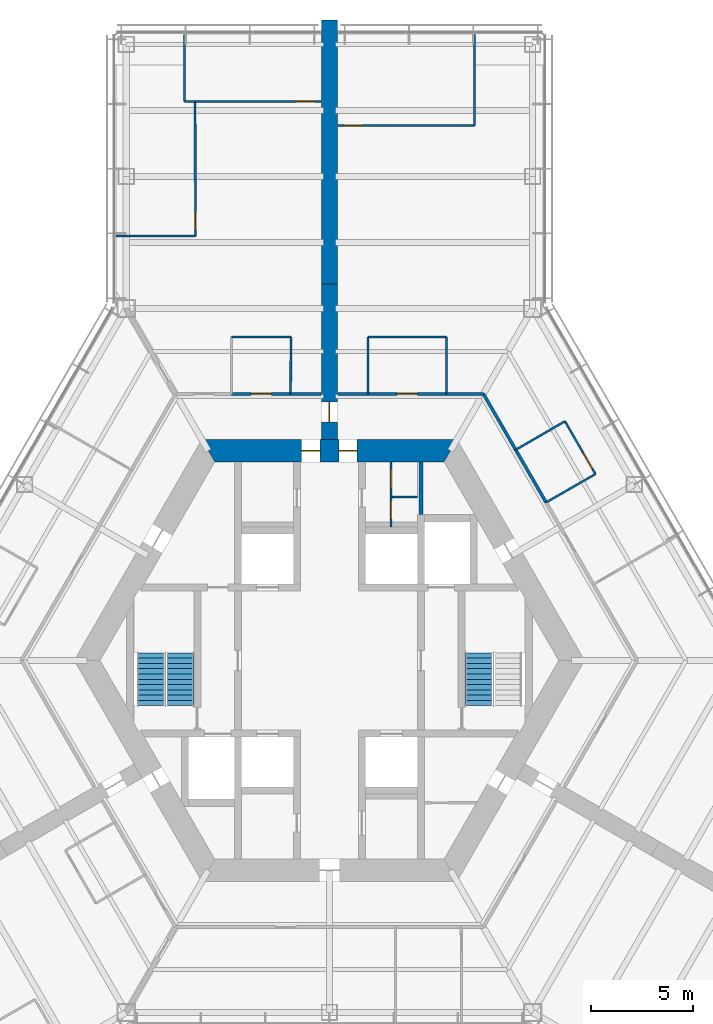
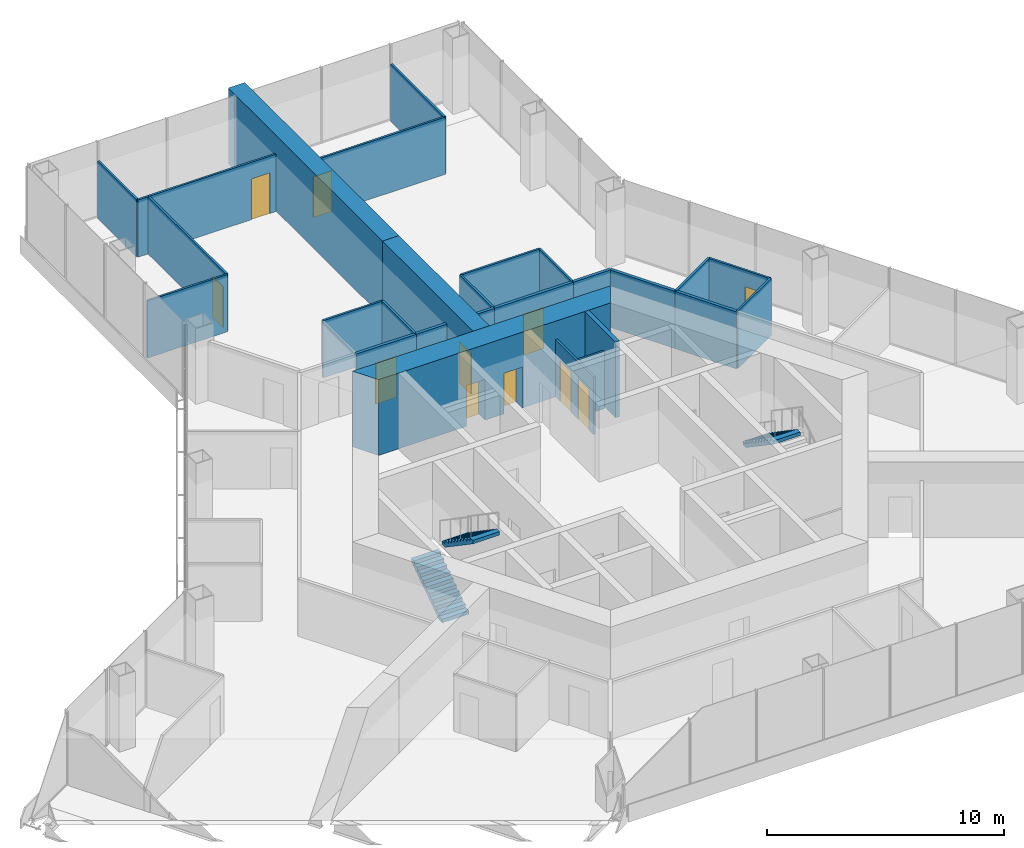
# One storey, part 15 of 18: 28 walls, 11 doors, 3 stair flights, 11 openings, 2 elements without a shape of their own.
"""IFC4 building model written with IfcOpenShell, lengths in metres."""

from ifc_helpers import new_model, si_unit, direction, frame, frame_2d, origin, place, context, subcontext, project, spatial, polyline, rectangle, outline, extrude, material, layer, layer_set, type_object, element, fill, aggregate, save


model = new_model("IFC4")

# Units and contexts
model_context = context("Model", 3, precision=1e-05, world=origin(), true_north=direction((0.0, 1.0)))
body_context = subcontext(model_context, "Body", "Model", "MODEL_VIEW")
ifc_project = project(units=[si_unit("LENGTHUNIT", "METRE"), si_unit("AREAUNIT", "SQUARE_METRE"), si_unit("VOLUMEUNIT", "CUBIC_METRE"), si_unit("PLANEANGLEUNIT", "RADIAN"), si_unit("MASSUNIT", "GRAM", prefix="KILO")], contexts=[model_context])

# Site, building, storey
site_placement = place(None, origin())
site = spatial("IfcSite", under=ifc_project, at=site_placement, CompositionType="ELEMENT")
building_placement = place(site_placement, origin())
building = spatial("IfcBuilding", under=site, at=building_placement, Name="Kasaneha Research Tower", CompositionType="ELEMENT")
storey_placement = place(building_placement, frame((0.0, 0.0, 108.0)))
storey = spatial("IfcBuildingStorey", under=building, at=storey_placement, Name="L27", CompositionType="ELEMENT", Elevation=108.0)

# Wall, openings, doors
ifc_material_1 = material(Name="Concrete Fc80", Category="concrete")
ifc_layer_1 = layer(ifc_material_1, 1.10009765625)
ifc_layer_set_1 = layer_set([ifc_layer_1], Name="Core wall 1100 Fc80")
wall_type_1 = type_object("IfcWallType", Name="Core wall 1100 Fc80", PredefinedType="SHEAR", material=ifc_layer_set_1)
wall_1_placement = place(storey_placement, frame((5.961181640625, 10.324951171875, 0.0), z_axis=(0.0, 0.0, 1.0), x_axis=(-1.0, 0.0, 0.0)))
wall_1 = element("IfcWall", 1, at=wall_1_placement, inside=storey, type_object=wall_type_1, Name="Core wall 090 L27", PredefinedType="SHEAR", context=body_context, shape_type="SweptSolid", body=[
    extrude(outline(polyline([(-0.317626953125, -0.550048828125), (4.5986328125, -0.550048828125), (5.49853515625, -0.550048828125), (6.423583984375, -0.550048828125), (7.323486328125, -0.550048828125), (12.239990234375, -0.550048828125), (11.604736328125, 0.550048828125), (7.323486328125, 0.550048828125), (6.423583984375, 0.550048828125), (5.49853515625, 0.550048828125), (4.5986328125, 0.550048828125), (0.317626953125, 0.550048828125), (-0.317626953125, -0.550048828125)])), origin(), (0.0, 0.0, 1.0), 3.89990234375),
])
opening_1_placement = place(wall_1_placement, frame((6.423583984375, 0.0, 0.0)))
opening_1 = element("IfcOpeningElement", 2, at=opening_1_placement, cuts=wall_1, Name="Opening L27-D01", PredefinedType="OPENING", context=body_context, shape_type="SweptSolid", body=[
    extrude(rectangle(XDim=0.89990234375, YDim=2.10009765625, at=frame_2d((0.449951171875, 1.050048828125))), frame((0.0, 0.56005859375, 0.0), z_axis=(0.0, -1.0, 0.0), x_axis=(1.0, 0.0, 0.0)), (0.0, 0.0, 1.0), 1.1201171875),
])
opening_2_placement = place(wall_1_placement, frame((4.5986328125, 0.0, 0.0)))
opening_2 = element("IfcOpeningElement", 3, at=opening_2_placement, cuts=wall_1, Name="Opening L27-D02", PredefinedType="OPENING", context=body_context, shape_type="SweptSolid", body=[
    extrude(rectangle(XDim=0.89990234375, YDim=2.10009765625, at=frame_2d((0.449951171875, 1.050048828125))), frame((0.0, 0.56005859375, 0.0), z_axis=(0.0, -1.0, 0.0), x_axis=(1.0, 0.0, 0.0)), (0.0, 0.0, 1.0), 1.1201171875),
])
ifc_material_2 = material(Name="Steel", Category="steel")
door_type_1 = type_object("IfcDoorType", Name="Toilet door FD20 900x2100", OperationType="NOTDEFINED", PredefinedType="DOOR", material=ifc_material_2)
door_1_placement = place(opening_1_placement, origin())
door_1 = element("IfcDoor", 4, at=door_1_placement, inside=storey, type_object=door_type_1, Name="Core door north 1 L27-D01", OperationType="SINGLE_SWING_RIGHT", OverallHeight=2.10009765625, OverallWidth=0.89990234375, PredefinedType="DOOR", context=body_context, shape_type="SweptSolid", body=[
    extrude(rectangle(XDim=0.89990234375, YDim=2.10009765625, at=frame_2d((0.449951171875, 1.050048828125))), frame((0.0, 0.02490234375, 0.0), z_axis=(0.0, -1.0, 0.0), x_axis=(1.0, 0.0, 0.0)), (0.0, 0.0, 1.0), 0.050048828125),
])
fill(opening_1, door_1)
door_2_placement = place(opening_2_placement, origin())
door_2 = element("IfcDoor", 5, at=door_2_placement, inside=storey, type_object=door_type_1, Name="Core door north 2 L27-D02", OperationType="SINGLE_SWING_LEFT", OverallHeight=2.10009765625, OverallWidth=0.89990234375, PredefinedType="DOOR", context=body_context, shape_type="SweptSolid", body=[
    extrude(rectangle(XDim=0.89990234375, YDim=2.10009765625, at=frame_2d((0.449951171875, 1.050048828125))), frame((0.0, 0.02490234375, 0.0), z_axis=(0.0, -1.0, 0.0), x_axis=(1.0, 0.0, 0.0)), (0.0, 0.0, 1.0), 0.050048828125),
])
fill(opening_2, door_2)

ifc_material_3 = material(Name="Gypsum board on steel studs, one layer each side", Category="steel")
ifc_layer_2 = layer(ifc_material_3, 0.10009765625)
ifc_layer_set_2 = layer_set([ifc_layer_2], Name="Office partition 100")
wall_type_2 = type_object("IfcWallType", Name="Office partition 100", PredefinedType="PARTITIONING", material=ifc_layer_set_2)
wall_2_placement = place(storey_placement, frame((3.02490234375, 6.574951171875, 0.0), z_axis=(0.0, 0.0, 1.0), x_axis=(0.0, 1.0, 0.0)))
wall_2 = element("IfcWall", 6, at=wall_2_placement, inside=storey, type_object=wall_type_2, Name="Office partition TBF1 L27", PredefinedType="PARTITIONING", context=body_context, shape_type="SweptSolid", body=[
    extrude(rectangle(XDim=3.199951171875, YDim=0.10009765625, at=frame_2d((1.60009765625, 0.0))), origin(), (0.0, 0.0, 1.0), 2.949951171875),
])
opening_3_placement = place(wall_2_placement, frame((1.91259765625, 0.0, 0.0)))
opening_3 = element("IfcOpeningElement", 7, at=opening_3_placement, cuts=wall_2, Name="Opening L27-D20", PredefinedType="OPENING", context=body_context, shape_type="SweptSolid", body=[
    extrude(rectangle(XDim=0.89990234375, YDim=2.10009765625, at=frame_2d((0.449951171875, 1.050048828125))), frame((0.0, 0.06005859375, 0.0), z_axis=(0.0, -1.0, 0.0), x_axis=(1.0, 0.0, 0.0)), (0.0, 0.0, 1.0), 0.1201171875),
])
opening_4_placement = place(wall_2_placement, frame((0.387451171875, 0.0, 0.0)))
opening_4 = element("IfcOpeningElement", 8, at=opening_4_placement, cuts=wall_2, Name="Opening L27-D21", PredefinedType="OPENING", context=body_context, shape_type="SweptSolid", body=[
    extrude(rectangle(XDim=0.89990234375, YDim=2.10009765625, at=frame_2d((0.449951171875, 1.050048828125))), frame((0.0, 0.06005859375, 0.0), z_axis=(0.0, -1.0, 0.0), x_axis=(1.0, 0.0, 0.0)), (0.0, 0.0, 1.0), 0.1201171875),
])
ifc_material_4 = material(Name="Steel", Category="steel")
door_type_2 = type_object("IfcDoorType", Name="Toilet lobby door FD30 900x2100", OperationType="NOTDEFINED", PredefinedType="DOOR", material=ifc_material_4)
door_3_placement = place(opening_3_placement, origin())
door_3 = element("IfcDoor", 9, at=door_3_placement, inside=storey, type_object=door_type_2, Name="Women's WC door L27-D20", OperationType="SINGLE_SWING_RIGHT", OverallHeight=2.10009765625, OverallWidth=0.89990234375, PredefinedType="DOOR", context=body_context, shape_type="SweptSolid", body=[
    extrude(rectangle(XDim=0.89990234375, YDim=2.10009765625, at=frame_2d((0.449951171875, 1.050048828125))), frame((0.0, 0.02490234375, 0.0), z_axis=(0.0, -1.0, 0.0), x_axis=(1.0, 0.0, 0.0)), (0.0, 0.0, 1.0), 0.050048828125),
])
fill(opening_3, door_3)
door_4_placement = place(opening_4_placement, origin())
door_4 = element("IfcDoor", 10, at=door_4_placement, inside=storey, type_object=door_type_2, Name="Cleaner's store door L27-D21", OperationType="SINGLE_SWING_RIGHT", OverallHeight=2.10009765625, OverallWidth=0.89990234375, PredefinedType="DOOR", context=body_context, shape_type="SweptSolid", body=[
    extrude(rectangle(XDim=0.89990234375, YDim=2.10009765625, at=frame_2d((0.449951171875, 1.050048828125))), frame((0.0, 0.02490234375, 0.0), z_axis=(0.0, -1.0, 0.0), x_axis=(1.0, 0.0, 0.0)), (0.0, 0.0, 1.0), 0.050048828125),
])
fill(opening_4, door_4)

# Walls
wall_3_placement = place(storey_placement, frame((3.074951171875, 8.050048828125, 0.0), z_axis=(0.0, 0.0, 1.0), x_axis=(1.0, 0.0, 0.0)))
element("IfcWall", 11, at=wall_3_placement, inside=storey, type_object=wall_type_2, Name="Office partition TBF2 L27", PredefinedType="PARTITIONING", context=body_context, shape_type="SweptSolid", body=[
    extrude(rectangle(XDim=1.25, YDim=0.10009765625, at=frame_2d((0.625, 0.0))), origin(), (0.0, 0.0, 1.0), 2.949951171875),
])
wall_4_placement = place(storey_placement, frame((1.89990234375, 15.925048828125, 0.0), z_axis=(0.0, 0.0, 1.0), x_axis=(1.0, 0.0, 0.0)))
element("IfcWall", 12, at=wall_4_placement, inside=storey, type_object=wall_type_2, Name="Office partition FAE08 L27", PredefinedType="PARTITIONING", context=body_context, shape_type="SweptSolid", body=[
    extrude(rectangle(XDim=3.857177734375, YDim=0.10009765625, at=frame_2d((1.9287109375, 0.0))), origin(), (0.0, 0.0, 1.0), 2.949951171875),
])
for number, where, z_axis, x_axis, name in (
    (13, (1.904541015625, 13.125, 0.0), (0.0, 0.0, 1.0), (-0.001656637364, 0.999998627775, 0.0), "Office partition FAE09 L27"),
    (14, (5.757080078125, 15.925048828125, 0.0), (0.0, 0.0, 1.0), (-0.001656637364, -0.999998627775, 0.0), "Office partition FAE10 L27"),
    (15, (9.168701171875, 10.369140625, 0.0), (0.0, 0.0, 1.0), (0.865255114713, 0.501331812737, 0.0), "Office partition FAE11 L27"),
):
    element("IfcWall", number, at=place(storey_placement, frame(where, z_axis=z_axis, x_axis=x_axis)), inside=storey, type_object=wall_type_2, Name=name, PredefinedType="PARTITIONING", context=body_context, shape_type="SweptSolid", body=[
        extrude(rectangle(XDim=2.800048828125, YDim=0.10009765625, at=frame_2d((1.39990234375, 0.0))), origin(), (0.0, 0.0, 1.0), 2.949951171875),
    ])

# Wall, opening, door
wall_5_placement = place(storey_placement, frame((11.591552734375, 11.77294921875, 0.0), z_axis=(0.0, 0.0, 1.0), x_axis=(0.499990139034, -0.866031096941, 0.0)))
wall_5 = element("IfcWall", 16, at=wall_5_placement, inside=storey, type_object=wall_type_2, Name="Office partition FAE12 L27", PredefinedType="PARTITIONING", context=body_context, shape_type="SweptSolid", body=[
    extrude(rectangle(XDim=3.0, YDim=0.10009765625, at=frame_2d((1.5, 0.0))), origin(), (0.0, 0.0, 1.0), 2.949951171875),
])
opening_5_placement = place(wall_5_placement, frame((1.800048828125, 0.0, 0.0)))
opening_5 = element("IfcOpeningElement", 17, at=opening_5_placement, cuts=wall_5, Name="Opening L27-D27", PredefinedType="OPENING", context=body_context, shape_type="SweptSolid", body=[
    extrude(rectangle(XDim=0.89990234375, YDim=2.10009765625, at=frame_2d((0.449951171875, 1.050048828125))), frame((0.0, 0.06005859375, 0.0), z_axis=(0.0, -1.0, 0.0), x_axis=(1.0, 0.0, 0.0)), (0.0, 0.0, 1.0), 0.1201171875),
])
ifc_material_5 = material(Name="Timber veneer", Category="wood")
door_type_3 = type_object("IfcDoorType", Name="Office door 900x2100", OperationType="SINGLE_SWING_LEFT", PredefinedType="DOOR", material=ifc_material_5)
door_5_placement = place(opening_5_placement, origin())
door_5 = element("IfcDoor", 18, at=door_5_placement, inside=storey, type_object=door_type_3, Name="Pantry door L27-D27", OperationType="SINGLE_SWING_RIGHT", OverallHeight=2.10009765625, OverallWidth=0.89990234375, PredefinedType="DOOR", context=body_context, shape_type="SweptSolid", body=[
    extrude(rectangle(XDim=0.89990234375, YDim=2.10009765625, at=frame_2d((0.449951171875, 1.050048828125))), frame((0.0, 0.02490234375, 0.0), z_axis=(0.0, -1.0, 0.0), x_axis=(1.0, 0.0, 0.0)), (0.0, 0.0, 1.0), 0.050048828125),
])
fill(opening_5, door_5)

# Wall
wall_6_placement = place(storey_placement, frame((13.091552734375, 9.1748046875, 0.0), z_axis=(0.0, 0.0, 1.0), x_axis=(-0.866855433567, -0.498559582492, 0.0)))
element("IfcWall", 19, at=wall_6_placement, inside=storey, type_object=wall_type_2, Name="Office partition FAE13 L27", PredefinedType="PARTITIONING", context=body_context, shape_type="SweptSolid", body=[
    extrude(rectangle(XDim=2.800048828125, YDim=0.10009765625, at=frame_2d((1.39990234375, 0.0))), origin(), (0.0, 0.0, 1.0), 2.949951171875),
])

# Wall, opening, door
wall_7_placement = place(storey_placement, frame((7.13330078125, 26.320556640625, 0.0), z_axis=(0.0, 0.0, 1.0), x_axis=(-1.0, 0.0, 0.0)))
wall_7 = element("IfcWall", 20, at=wall_7_placement, inside=storey, type_object=wall_type_2, Name="Office partition FAE15 L27", PredefinedType="PARTITIONING", context=body_context, shape_type="SweptSolid", body=[
    extrude(rectangle(XDim=6.71337890625, YDim=0.10009765625, at=frame_2d((3.356689453125, 0.0))), origin(), (0.0, 0.0, 1.0), 2.949951171875),
])
opening_6_placement = place(wall_7_placement, frame((5.51318359375, 0.0, 0.0)))
opening_6 = element("IfcOpeningElement", 21, at=opening_6_placement, cuts=wall_7, Name="Opening L27-D29", PredefinedType="OPENING", context=body_context, shape_type="SweptSolid", body=[
    extrude(rectangle(XDim=0.89990234375, YDim=2.10009765625, at=frame_2d((0.449951171875, 1.050048828125))), frame((0.0, 0.06005859375, 0.0), z_axis=(0.0, -1.0, 0.0), x_axis=(1.0, 0.0, 0.0)), (0.0, 0.0, 1.0), 0.1201171875),
])
door_6_placement = place(opening_6_placement, origin())
door_6 = element("IfcDoor", 22, at=door_6_placement, inside=storey, type_object=door_type_3, Name="Large meeting room door L27-D29", OperationType="SINGLE_SWING_RIGHT", OverallHeight=2.10009765625, OverallWidth=0.89990234375, PredefinedType="DOOR", context=body_context, shape_type="SweptSolid", body=[
    extrude(rectangle(XDim=0.89990234375, YDim=2.10009765625, at=frame_2d((0.449951171875, 1.050048828125))), frame((0.0, 0.02490234375, 0.0), z_axis=(0.0, -1.0, 0.0), x_axis=(1.0, 0.0, 0.0)), (0.0, 0.0, 1.0), 0.050048828125),
])
fill(opening_6, door_6)

# Walls
wall_8_placement = place(storey_placement, frame((7.13330078125, 30.800537109375, 0.0), z_axis=(0.0, 0.0, 1.0), x_axis=(0.0, -1.0, 0.0)))
element("IfcWall", 23, at=wall_8_placement, inside=storey, type_object=wall_type_2, Name="Office partition FAE16 L27", PredefinedType="PARTITIONING", context=body_context, shape_type="SweptSolid", body=[
    extrude(rectangle(XDim=4.47998046875, YDim=0.10009765625, at=frame_2d((2.239990234375, 0.0))), origin(), (0.0, 0.0, 1.0), 2.949951171875),
])
wall_9_placement = place(storey_placement, frame((-4.81689453125, 15.925048828125, 0.0), z_axis=(0.0, 0.0, 1.0), x_axis=(1.0, 0.0, 0.0)))
element("IfcWall", 24, at=wall_9_placement, inside=storey, type_object=wall_type_2, Name="Office partition FAW04 L27", PredefinedType="PARTITIONING", context=body_context, shape_type="SweptSolid", body=[
    extrude(rectangle(XDim=2.9169921875, YDim=0.10009765625, at=frame_2d((1.45849609375, 0.0))), origin(), (0.0, 0.0, 1.0), 2.949951171875),
])
wall_10_placement = place(storey_placement, frame((-1.89990234375, 15.925048828125, 0.0), z_axis=(0.0, 0.0, 1.0), x_axis=(-0.001656637364, -0.999998627775, 0.0)))
element("IfcWall", 25, at=wall_10_placement, inside=storey, type_object=wall_type_2, Name="Office partition FAW06 L27", PredefinedType="PARTITIONING", context=body_context, shape_type="SweptSolid", body=[
    extrude(rectangle(XDim=2.800048828125, YDim=0.10009765625, at=frame_2d((1.39990234375, 0.0))), origin(), (0.0, 0.0, 1.0), 2.949951171875),
])
wall_11_placement = place(storey_placement, frame((-7.1337890625, 30.800537109375, 0.0), z_axis=(0.0, 0.0, 1.0), x_axis=(0.000148864903, -0.99999998892, 0.0)))
element("IfcWall", 26, at=wall_11_placement, inside=storey, type_object=wall_type_2, Name="Office partition FAW07 L27", PredefinedType="PARTITIONING", context=body_context, shape_type="SweptSolid", body=[
    extrude(rectangle(XDim=3.280029296875, YDim=0.10009765625, at=frame_2d((1.64013671875, 0.0))), origin(), (0.0, 0.0, 1.0), 2.949951171875),
])
wall_12_placement = place(storey_placement, frame((-7.13330078125, 27.5205078125, 0.0), z_axis=(0.0, 0.0, 1.0), x_axis=(0.99995394424, -0.009597364181, 0.0)))
element("IfcWall", 27, at=wall_12_placement, inside=storey, type_object=wall_type_2, Name="Office partition FAW08 L27", PredefinedType="PARTITIONING", context=body_context, shape_type="SweptSolid", body=[
    extrude(rectangle(XDim=0.5341796875, YDim=0.10009765625, at=frame_2d((0.26708984375, 0.0))), origin(), (0.0, 0.0, 1.0), 2.949951171875),
])

# Wall, opening, door
wall_13_placement = place(storey_placement, frame((-6.60400390625, 27.52001953125, 0.0), z_axis=(0.0, 0.0, 1.0), x_axis=(0.000589275089, -0.999999826377, 0.0)))
wall_13 = element("IfcWall", 28, at=wall_13_placement, inside=storey, type_object=wall_type_2, Name="Office partition FAW09 L27", PredefinedType="PARTITIONING", context=body_context, shape_type="SweptSolid", body=[
    extrude(rectangle(XDim=6.62890625, YDim=0.10009765625, at=frame_2d((3.314453125, 0.0))), origin(), (0.0, 0.0, 1.0), 2.949951171875),
])
opening_7_placement = place(wall_13_placement, frame((5.428955078125, 0.0, 0.0)))
opening_7 = element("IfcOpeningElement", 29, at=opening_7_placement, cuts=wall_13, Name="Opening L27-D32", PredefinedType="OPENING", context=body_context, shape_type="SweptSolid", body=[
    extrude(rectangle(XDim=0.89990234375, YDim=2.10009765625, at=frame_2d((0.449951171875, 1.050048828125))), frame((0.0, 0.06005859375, 0.0), z_axis=(0.0, -1.0, 0.0), x_axis=(1.0, 0.0, 0.0)), (0.0, 0.0, 1.0), 0.1201171875),
])
door_7_placement = place(opening_7_placement, origin())
door_7 = element("IfcDoor", 30, at=door_7_placement, inside=storey, type_object=door_type_3, Name="Meeting room door L27-D32", OperationType="SINGLE_SWING_RIGHT", OverallHeight=2.10009765625, OverallWidth=0.89990234375, PredefinedType="DOOR", context=body_context, shape_type="SweptSolid", body=[
    extrude(rectangle(XDim=0.89990234375, YDim=2.10009765625, at=frame_2d((0.449951171875, 1.050048828125))), frame((0.0, 0.02490234375, 0.0), z_axis=(0.0, -1.0, 0.0), x_axis=(1.0, 0.0, 0.0)), (0.0, 0.0, 1.0), 0.050048828125),
])
fill(opening_7, door_7)

# Wall
wall_14_placement = place(storey_placement, frame((-6.60009765625, 20.89111328125, 0.0), z_axis=(0.0, 0.0, 1.0), x_axis=(-1.0, 0.0, 0.0)))
element("IfcWall", 31, at=wall_14_placement, inside=storey, type_object=wall_type_2, Name="Office partition FAW10 L27", PredefinedType="PARTITIONING", context=body_context, shape_type="SweptSolid", body=[
    extrude(rectangle(XDim=3.89990234375, YDim=0.10009765625, at=frame_2d((1.949951171875, 0.0))), origin(), (0.0, 0.0, 1.0), 2.949951171875),
])

# Wall, opening, door
wall_15_placement = place(storey_placement, frame((-0.419921875, 27.5205078125, 0.0), z_axis=(0.0, 0.0, 1.0), x_axis=(-1.0, 0.0, 0.0)))
wall_15 = element("IfcWall", 32, at=wall_15_placement, inside=storey, type_object=wall_type_2, Name="Office partition FAW11 L27", PredefinedType="PARTITIONING", context=body_context, shape_type="SweptSolid", body=[
    extrude(rectangle(XDim=6.18408203125, YDim=0.10009765625, at=frame_2d((3.092041015625, 0.0))), origin(), (0.0, 0.0, 1.0), 2.949951171875),
])
opening_8_placement = place(wall_15_placement, frame((0.300048828125, 0.0, 0.0)))
opening_8 = element("IfcOpeningElement", 33, at=opening_8_placement, cuts=wall_15, Name="Opening L27-D33", PredefinedType="OPENING", context=body_context, shape_type="SweptSolid", body=[
    extrude(rectangle(XDim=0.89990234375, YDim=2.10009765625, at=frame_2d((0.449951171875, 1.050048828125))), frame((0.0, 0.06005859375, 0.0), z_axis=(0.0, -1.0, 0.0), x_axis=(1.0, 0.0, 0.0)), (0.0, 0.0, 1.0), 0.1201171875),
])
door_8_placement = place(opening_8_placement, origin())
door_8 = element("IfcDoor", 34, at=door_8_placement, inside=storey, type_object=door_type_3, Name="Manager's office door L27-D33", OperationType="SINGLE_SWING_LEFT", OverallHeight=2.10009765625, OverallWidth=0.89990234375, PredefinedType="DOOR", context=body_context, shape_type="SweptSolid", body=[
    extrude(rectangle(XDim=0.89990234375, YDim=2.10009765625, at=frame_2d((0.449951171875, 1.050048828125))), frame((0.0, 0.02490234375, 0.0), z_axis=(0.0, -1.0, 0.0), x_axis=(1.0, 0.0, 0.0)), (0.0, 0.0, 1.0), 0.050048828125),
])
fill(opening_8, door_8)

# Wall
ifc_material_6 = material(Name="Concrete block", Category="concrete")
ifc_layer_3 = layer(ifc_material_6, 0.199951171875)
ifc_layer_set_3 = layer_set([ifc_layer_3], Name="Riser enclosure wall 200")
wall_type_3 = type_object("IfcWallType", Name="Riser enclosure wall 200", PredefinedType="STANDARD", material=ifc_layer_set_3)
wall_16_placement = place(storey_placement, frame((4.5, 7.175048828125, 0.0), z_axis=(0.0, 0.0, 1.0), x_axis=(0.0, 1.0, 0.0)))
element("IfcWall", 35, at=wall_16_placement, inside=storey, type_object=wall_type_3, Name="Riser enclosure wall L27", PredefinedType="STANDARD", context=body_context, shape_type="SweptSolid", body=[
    extrude(rectangle(XDim=2.599853515625, YDim=0.199951171875, at=frame_2d((1.2998046875, 0.0))), origin(), (0.0, 0.0, 1.0), 3.89990234375),
])

# Wall, opening, door
ifc_material_7 = material(Name="Concrete Fc80", Category="concrete")
ifc_layer_4 = layer(ifc_material_7, 0.800048828125)
ifc_layer_set_4 = layer_set([ifc_layer_4], Name="Spine wall 800 Fc80")
wall_type_4 = type_object("IfcWallType", Name="Spine wall 800 Fc80", PredefinedType="SHEAR", material=ifc_layer_set_4)
wall_17_placement = place(storey_placement, frame((0.0, 10.875, 0.0), z_axis=(0.0, 0.0, 1.0), x_axis=(0.0, 1.0, 0.0)))
wall_17 = element("IfcWall", 36, at=wall_17_placement, inside=storey, type_object=wall_type_4, Name="Spine wall A L27", PredefinedType="SHEAR", context=body_context, shape_type="SweptSolid", body=[
    extrude(rectangle(XDim=7.6455078125, YDim=0.800048828125, at=frame_2d((3.82275390625, 0.0))), origin(), (0.0, 0.0, 1.0), 3.89990234375),
])
opening_9_placement = place(wall_17_placement, frame((0.85009765625, 0.0, 0.0)))
opening_9 = element("IfcOpeningElement", 37, at=opening_9_placement, cuts=wall_17, Name="Opening L27-D17", PredefinedType="OPENING", context=body_context, shape_type="SweptSolid", body=[
    extrude(rectangle(XDim=1.0, YDim=2.10009765625, at=frame_2d((0.5, 1.050048828125))), frame((0.0, 0.41015625, 0.0), z_axis=(0.0, -1.0, 0.0), x_axis=(1.0, 0.0, 0.0)), (0.0, 0.0, 1.0), 0.820068359375),
])
ifc_material_8 = material(Name="Steel", Category="steel")
door_type_4 = type_object("IfcDoorType", Name="Specified fire door FD60 1000x2100", OperationType="NOTDEFINED", PredefinedType="DOOR", material=ifc_material_8)
door_9_placement = place(opening_9_placement, origin())
door_9 = element("IfcDoor", 38, at=door_9_placement, inside=storey, type_object=door_type_4, Name="Spine doorway A L27-D17", OperationType="SINGLE_SWING_LEFT", OverallHeight=2.10009765625, OverallWidth=1.0, PredefinedType="DOOR", context=body_context, shape_type="SweptSolid", body=[
    extrude(rectangle(XDim=1.0, YDim=2.10009765625, at=frame_2d((0.5, 1.050048828125))), frame((0.0, 0.02490234375, 0.0), z_axis=(0.0, -1.0, 0.0), x_axis=(1.0, 0.0, 0.0)), (0.0, 0.0, 1.0), 0.050048828125),
])
fill(opening_9, door_9)

# Wall
wall_18_placement = place(storey_placement, frame((0.0, 18.5205078125, 0.0), z_axis=(0.0, 0.0, 1.0), x_axis=(0.0, 1.0, 0.0)))
element("IfcWall", 39, at=wall_18_placement, inside=storey, type_object=wall_type_4, Name="Spine wall A wing L27", PredefinedType="SHEAR", context=body_context, shape_type="SweptSolid", body=[
    extrude(rectangle(XDim=13.0, YDim=0.800048828125, at=frame_2d((6.5, 0.0))), origin(), (0.0, 0.0, 1.0), 3.89990234375),
])

# Wall, opening, door
ifc_material_9 = material(Name="Gypsum board on steel studs, two layers each side", Category="steel")
ifc_layer_5 = layer(ifc_material_9, 0.14990234375)
ifc_layer_set_5 = layer_set([ifc_layer_5], Name="Suite partition 150")
wall_type_5 = type_object("IfcWallType", Name="Suite partition 150", PredefinedType="PARTITIONING", material=ifc_layer_set_5)
wall_19_placement = place(storey_placement, frame((1.89501953125, 13.125, 0.0), z_axis=(0.0, 0.0, 1.0), x_axis=(1.0, 0.0, 0.0)))
wall_19 = element("IfcWall", 40, at=wall_19_placement, inside=storey, type_object=wall_type_5, Name="Suite partition FAE01 L27", PredefinedType="PARTITIONING", context=body_context, shape_type="SweptSolid", body=[
    extrude(rectangle(XDim=3.866943359375, YDim=0.14990234375, at=frame_2d((1.93359375, 0.0))), origin(), (0.0, 0.0, 1.0), 2.949951171875),
])
opening_10_placement = place(wall_19_placement, frame((1.43359375, 0.0, 0.0)))
opening_10 = element("IfcOpeningElement", 41, at=opening_10_placement, cuts=wall_19, Name="Opening L27-D25", PredefinedType="OPENING", context=body_context, shape_type="SweptSolid", body=[
    extrude(rectangle(XDim=1.0, YDim=2.10009765625, at=frame_2d((0.5, 1.050048828125))), frame((0.0, 0.0849609375, 0.0), z_axis=(0.0, -1.0, 0.0), x_axis=(1.0, 0.0, 0.0)), (0.0, 0.0, 1.0), 0.169921875),
])
ifc_material_10 = material(Name="Steel", Category="steel")
door_type_5 = type_object("IfcDoorType", Name="Suite entrance door FD60 1000x2100", OperationType="NOTDEFINED", PredefinedType="DOOR", material=ifc_material_10)
door_10_placement = place(opening_10_placement, origin())
door_10 = element("IfcDoor", 42, at=door_10_placement, inside=storey, type_object=door_type_5, Name="Suite entrance door L27-D25", OperationType="SINGLE_SWING_LEFT", OverallHeight=2.10009765625, OverallWidth=1.0, PredefinedType="DOOR", context=body_context, shape_type="SweptSolid", body=[
    extrude(rectangle(XDim=1.0, YDim=2.10009765625, at=frame_2d((0.5, 1.050048828125))), frame((0.0, 0.02490234375, 0.0), z_axis=(0.0, -1.0, 0.0), x_axis=(1.0, 0.0, 0.0)), (0.0, 0.0, 1.0), 0.050048828125),
])
fill(opening_10, door_10)

# Walls
wall_20_placement = place(storey_placement, frame((9.1640625, 10.377197265625, 0.0), z_axis=(0.0, 0.0, 1.0), x_axis=(0.500038395149, -0.8660032352, 0.0)))
element("IfcWall", 43, at=wall_20_placement, inside=storey, type_object=wall_type_5, Name="Suite partition FAE02 L27", PredefinedType="PARTITIONING", context=body_context, shape_type="SweptSolid", body=[
    extrude(rectangle(XDim=3.010009765625, YDim=0.14990234375, at=frame_2d((1.5048828125, 0.0))), origin(), (0.0, 0.0, 1.0), 2.949951171875),
])
wall_21_placement = place(storey_placement, frame((0.419921875, 13.125, 0.0), z_axis=(0.0, 0.0, 1.0), x_axis=(1.0, 0.0, 0.0)))
element("IfcWall", 44, at=wall_21_placement, inside=storey, type_object=wall_type_5, Name="Suite partition FAE04 L27", PredefinedType="PARTITIONING", context=body_context, shape_type="SweptSolid", body=[
    extrude(rectangle(XDim=1.484619140625, YDim=0.14990234375, at=frame_2d((0.7421875, 0.0))), origin(), (0.0, 0.0, 1.0), 2.949951171875),
])
wall_22_placement = place(storey_placement, frame((5.75244140625, 13.125, 0.0), z_axis=(0.0, 0.0, 1.0), x_axis=(1.0, 0.0, 0.0)))
element("IfcWall", 45, at=wall_22_placement, inside=storey, type_object=wall_type_5, Name="Suite partition FAE05 L27", PredefinedType="PARTITIONING", context=body_context, shape_type="SweptSolid", body=[
    extrude(rectangle(XDim=1.8251953125, YDim=0.14990234375, at=frame_2d((0.91259765625, 0.0))), origin(), (0.0, 0.0, 1.0), 2.949951171875),
])
wall_23_placement = place(storey_placement, frame((7.57763671875, 13.125, 0.0), z_axis=(0.0, 0.0, 1.0), x_axis=(0.499992528944, -0.866029717158, 0.0)))
element("IfcWall", 46, at=wall_23_placement, inside=storey, type_object=wall_type_5, Name="Suite partition FAE06 L27", PredefinedType="PARTITIONING", context=body_context, shape_type="SweptSolid", body=[
    extrude(rectangle(XDim=3.18212890625, YDim=0.14990234375, at=frame_2d((1.591064453125, 0.0))), origin(), (0.0, 0.0, 1.0), 2.949951171875),
])

# Wall, opening, door
wall_24_placement = place(storey_placement, frame((-4.822021484375, 13.125, 0.0), z_axis=(0.0, 0.0, 1.0), x_axis=(1.0, 0.0, 0.0)))
wall_24 = element("IfcWall", 47, at=wall_24_placement, inside=storey, type_object=wall_type_5, Name="Suite partition FAW01 L27", PredefinedType="PARTITIONING", context=body_context, shape_type="SweptSolid", body=[
    extrude(rectangle(XDim=2.927001953125, YDim=0.14990234375, at=frame_2d((1.46337890625, 0.0))), origin(), (0.0, 0.0, 1.0), 2.949951171875),
])
opening_11_placement = place(wall_24_placement, frame((0.96337890625, 0.0, 0.0)))
opening_11 = element("IfcOpeningElement", 48, at=opening_11_placement, cuts=wall_24, Name="Opening L27-D30", PredefinedType="OPENING", context=body_context, shape_type="SweptSolid", body=[
    extrude(rectangle(XDim=1.0, YDim=2.10009765625, at=frame_2d((0.5, 1.050048828125))), frame((0.0, 0.0849609375, 0.0), z_axis=(0.0, -1.0, 0.0), x_axis=(1.0, 0.0, 0.0)), (0.0, 0.0, 1.0), 0.169921875),
])
door_11_placement = place(opening_11_placement, origin())
door_11 = element("IfcDoor", 49, at=door_11_placement, inside=storey, type_object=door_type_5, Name="Suite entrance door L27-D30", OperationType="SINGLE_SWING_LEFT", OverallHeight=2.10009765625, OverallWidth=1.0, PredefinedType="DOOR", context=body_context, shape_type="SweptSolid", body=[
    extrude(rectangle(XDim=1.0, YDim=2.10009765625, at=frame_2d((0.5, 1.050048828125))), frame((0.0, 0.02490234375, 0.0), z_axis=(0.0, -1.0, 0.0), x_axis=(1.0, 0.0, 0.0)), (0.0, 0.0, 1.0), 0.050048828125),
])
fill(opening_11, door_11)

# Wall
wall_25_placement = place(storey_placement, frame((-1.904541015625, 13.125, 0.0), z_axis=(0.0, 0.0, 1.0), x_axis=(1.0, 0.0, 0.0)))
element("IfcWall", 50, at=wall_25_placement, inside=storey, type_object=wall_type_5, Name="Suite partition FAW03 L27", PredefinedType="PARTITIONING", context=body_context, shape_type="SweptSolid", body=[
    extrude(rectangle(XDim=1.484619140625, YDim=0.14990234375, at=frame_2d((0.7421875, 0.0))), origin(), (0.0, 0.0, 1.0), 2.949951171875),
])

# Stair, stair flight
ifc_material_11 = material(Name="Concrete Fc24", Category="concrete")
stair_type = type_object("IfcStairType", Name="Half-turn stair 22 risers", PredefinedType="HALF_TURN_STAIR", material=ifc_material_11)
stair_1_placement = place(storey_placement, origin())
stair_1 = element("IfcStair", 51, at=stair_1_placement, inside=storey, type_object=stair_type, Name="Stair 1 L27", PredefinedType="HALF_TURN_STAIR")
ifc_material_12 = material(Name="Concrete Fc24", Category="concrete")
stair_flight_type = type_object("IfcStairFlightType", Name="Stair flight 11 risers 177.3", PredefinedType="STRAIGHT", material=ifc_material_12)
stair_flight_1_placement = place(storey_placement, frame((7.324951171875, 0.375, 1.949951171875), z_axis=(0.0, 0.0, 1.0), x_axis=(0.0, -1.0, 0.0)))
stair_flight_1 = element("IfcStairFlight", 52, at=stair_flight_1_placement, type_object=stair_flight_type, Name="ST1-22R flight 2", NumberOfRisers=11, NumberOfTreads=10, PredefinedType="STRAIGHT", RiserHeight=0.177272727, TreadLength=0.26, context=body_context, shape_type="SweptSolid", body=[
    extrude(outline(polyline([(0.0, 0.0), (0.0, 0.17724609375), (0.260009765625, 0.17724609375), (0.260009765625, 0.3544921875), (0.52001953125, 0.3544921875), (0.52001953125, 0.53173828125), (0.780029296875, 0.53173828125), (0.780029296875, 0.708984375), (1.0400390625, 0.708984375), (1.0400390625, 0.886474609375), (1.300048828125, 0.886474609375), (1.300048828125, 1.063720703125), (1.56005859375, 1.063720703125), (1.56005859375, 1.240966796875), (1.820068359375, 1.240966796875), (1.820068359375, 1.418212890625), (2.080078125, 1.418212890625), (2.080078125, 1.595458984375), (2.340087890625, 1.595458984375), (2.340087890625, 1.772705078125), (2.60009765625, 1.772705078125), (2.60009765625, 1.949951171875), (2.60009765625, 1.59130859375), (0.26611328125, 0.0), (0.0, 0.0)])), frame((0.0, 0.64990234375, 0.0), z_axis=(0.0, -1.0, 0.0), x_axis=(1.0, 0.0, 0.0)), (0.0, 0.0, 1.0), 1.300048828125),
])
aggregate(stair_1, [stair_flight_1])

# Stair, stair flights
stair_2_placement = place(storey_placement, origin())
stair_2 = element("IfcStair", 53, at=stair_2_placement, inside=storey, type_object=stair_type, Name="Stair 2 L27", PredefinedType="HALF_TURN_STAIR")
stair_flight_2_placement = place(storey_placement, frame((-8.824951171875, -2.22509765625, 0.0), z_axis=(0.0, 0.0, 1.0), x_axis=(0.0, 1.0, 0.0)))
stair_flight_2 = element("IfcStairFlight", 54, at=stair_flight_2_placement, type_object=stair_flight_type, Name="ST2-22R flight 1", NumberOfRisers=11, NumberOfTreads=10, PredefinedType="STRAIGHT", RiserHeight=0.177272727, TreadLength=0.26, context=body_context, shape_type="SweptSolid", body=[
    extrude(outline(polyline([(0.0, 0.0), (0.0, 0.17724609375), (0.260009765625, 0.17724609375), (0.260009765625, 0.3544921875), (0.52001953125, 0.3544921875), (0.52001953125, 0.53173828125), (0.780029296875, 0.53173828125), (0.780029296875, 0.708984375), (1.0400390625, 0.708984375), (1.0400390625, 0.886474609375), (1.300048828125, 0.886474609375), (1.300048828125, 1.063720703125), (1.56005859375, 1.063720703125), (1.56005859375, 1.240966796875), (1.820068359375, 1.240966796875), (1.820068359375, 1.418212890625), (2.080078125, 1.418212890625), (2.080078125, 1.595458984375), (2.340087890625, 1.595458984375), (2.340087890625, 1.772705078125), (2.60009765625, 1.772705078125), (2.60009765625, 1.949951171875), (2.60009765625, 1.59130859375), (0.26611328125, 0.0), (0.0, 0.0)])), frame((0.0, 0.64990234375, 0.0), z_axis=(0.0, -1.0, 0.0), x_axis=(1.0, 0.0, 0.0)), (0.0, 0.0, 1.0), 1.300048828125),
])
stair_flight_3_placement = place(storey_placement, frame((-7.324951171875, 0.375, 1.949951171875), z_axis=(0.0, 0.0, 1.0), x_axis=(0.0, -1.0, 0.0)))
stair_flight_3 = element("IfcStairFlight", 55, at=stair_flight_3_placement, type_object=stair_flight_type, Name="ST2-22R flight 2", NumberOfRisers=11, NumberOfTreads=10, PredefinedType="STRAIGHT", RiserHeight=0.177272727, TreadLength=0.26, context=body_context, shape_type="SweptSolid", body=[
    extrude(outline(polyline([(0.0, 0.0), (0.0, 0.17724609375), (0.260009765625, 0.17724609375), (0.260009765625, 0.3544921875), (0.52001953125, 0.3544921875), (0.52001953125, 0.53173828125), (0.780029296875, 0.53173828125), (0.780029296875, 0.708984375), (1.0400390625, 0.708984375), (1.0400390625, 0.886474609375), (1.300048828125, 0.886474609375), (1.300048828125, 1.063720703125), (1.56005859375, 1.063720703125), (1.56005859375, 1.240966796875), (1.820068359375, 1.240966796875), (1.820068359375, 1.418212890625), (2.080078125, 1.418212890625), (2.080078125, 1.595458984375), (2.340087890625, 1.595458984375), (2.340087890625, 1.772705078125), (2.60009765625, 1.772705078125), (2.60009765625, 1.949951171875), (2.60009765625, 1.59130859375), (0.26611328125, 0.0), (0.0, 0.0)])), frame((0.0, 0.64990234375, 0.0), z_axis=(0.0, -1.0, 0.0), x_axis=(1.0, 0.0, 0.0)), (0.0, 0.0, 1.0), 1.300048828125),
])
aggregate(stair_2, [stair_flight_2, stair_flight_3])

save(model, "model.ifc")
